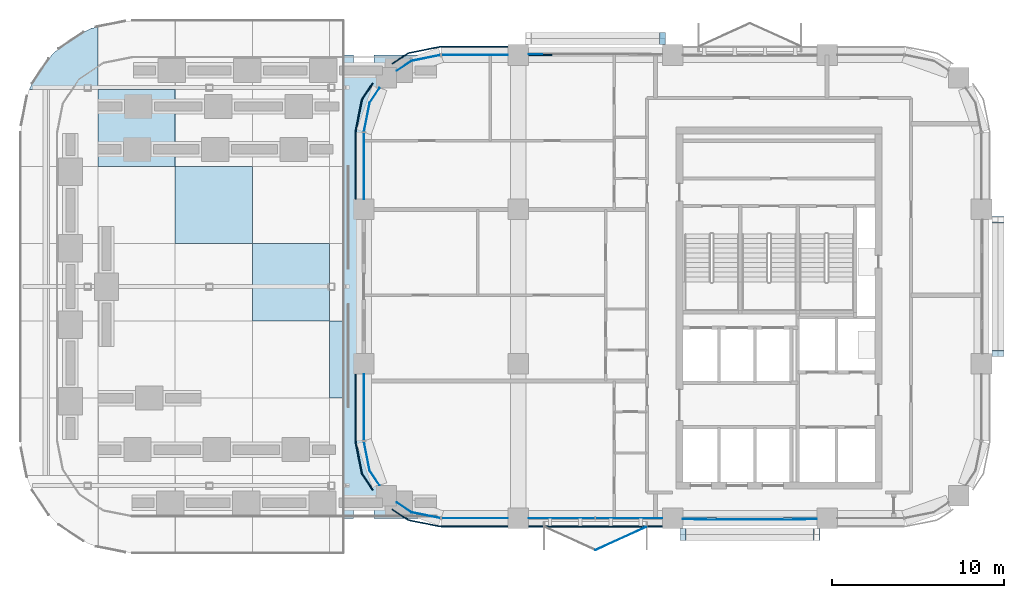
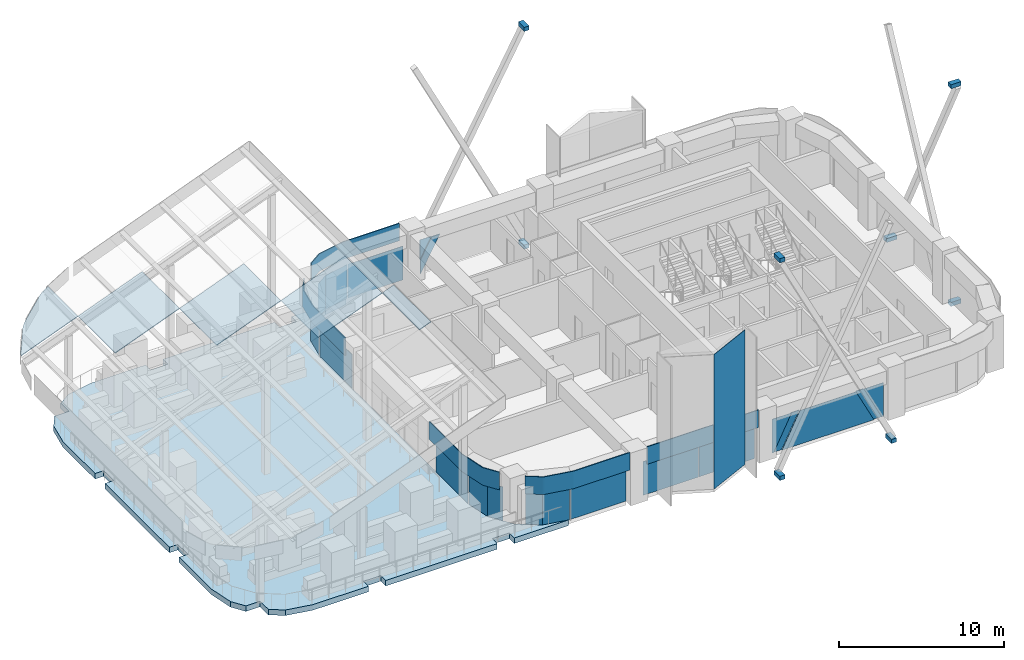
# One storey, part 6 of 13: 28 plates, 8 members, 1 slab, 7 elements without a shape of their own.
"""IFC4 building model written with IfcOpenShell, lengths in metres."""

from ifc_helpers import new_model, si_unit, direction, frame, origin, origin_2d, place, context, subcontext, project, spatial, polyline, rectangle, outline, extrude, material, layer, layer_set, type_object, element, aggregate, save


model = new_model("IFC4")

# Units and contexts
model_context = context("Model", 3, precision=1e-05, world=origin(), true_north=direction((0.0, 1.0)))
body_context = subcontext(model_context, "Body", "Model", "MODEL_VIEW")
ifc_project = project(units=[si_unit("LENGTHUNIT", "METRE"), si_unit("AREAUNIT", "SQUARE_METRE"), si_unit("VOLUMEUNIT", "CUBIC_METRE"), si_unit("PLANEANGLEUNIT", "RADIAN"), si_unit("MASSUNIT", "GRAM", prefix="KILO")], contexts=[model_context])

# Site, building, storey
site_placement = place(None, origin())
site = spatial("IfcSite", under=ifc_project, at=site_placement, CompositionType="ELEMENT")
building_placement = place(site_placement, origin())
building = spatial("IfcBuilding", under=site, at=building_placement, Name="Tessera Arch", CompositionType="ELEMENT")
storey_placement = place(building_placement, frame((0.0, 0.0, 234.5)))
storey = spatial("IfcBuildingStorey", under=building, at=storey_placement, Name="L56", CompositionType="ELEMENT", Elevation=234.5)

# Members
ifc_material_1 = material(Name="Steel A572 Gr50", Category="steel")
ifc_layer_1 = layer(ifc_material_1, 0.050048828125)
ifc_layer_set_1 = layer_set([ifc_layer_1], Name="Node block Steel A572 Gr50")
member_type = type_object("IfcMemberType", Name="Node block Steel A572 Gr50", PredefinedType="PLATE", material=ifc_layer_set_1)
for number, where, z_axis, x_axis, name in (
    (1, (54.95556640625, 44.39990234375, -1.20166015625), (0.0, 0.0, 1.0), (0.0, 1.0, 0.0), "Node block seat E54.27-0 1 L56"),
    (2, (54.95556640625, 36.60009765625, -1.20166015625), (0.0, 0.0, 1.0), (0.0, 1.0, 0.0), "Node block seat E54.27-0 2 L56"),
    (3, (54.95556640625, 36.60009765625, 14.90185546875), (0.0, 0.0, 1.0), (0.0, 1.0, 0.0), "Node block head E54.27-0 B L56"),
    (4, (35.39990234375, 54.95556640625, -1.20166015625), (0.0, 0.0, 1.0), (-1.0, 0.0, 0.0), "Node block seat N54.18-2 2 L56"),
    (5, (35.39990234375, 54.95556640625, 14.9072265625), (0.0, 0.0, 1.0), (-1.0, 0.0, 0.0), "Node block head N54.18-2 B L56"),
    (6, (44.39990234375, 26.04443359375, -1.20166015625), (0.0, 0.0, 1.0), (1.0, 0.0, 0.0), "Node block seat S27.18-2 1 L56"),
    (7, (36.60009765625, 26.04443359375, -1.20166015625), (0.0, 0.0, 1.0), (1.0, 0.0, 0.0), "Node block seat S27.18-2 2 L56"),
    (8, (36.60009765625, 26.04443359375, 14.90185546875), (0.0, 0.0, 1.0), (1.0, 0.0, 0.0), "Node block head S27.18-2 B L56"),
):
    element("IfcMember", number, at=place(storey_placement, frame(where, z_axis=z_axis, x_axis=x_axis)), inside=storey, type_object=member_type, Name=name, PredefinedType="PLATE", context=body_context, shape_type="SweptSolid", body=[
        extrude(rectangle(XDim=0.355712890625, YDim=0.711181640625, at=origin_2d()), origin(), (0.0, 0.0, 1.0), 0.300048828125),
    ])

# Curtain wall, plates
ifc_material_2 = material(Name="CW1 curtain wall")
curtain_wall_type_1 = type_object("IfcCurtainWallType", Name="CW1 curtain wall", PredefinedType="NOTDEFINED", material=ifc_material_2)
curtain_wall_1_placement = place(storey_placement, origin())
curtain_wall_1 = element("IfcCurtainWall", 9, at=curtain_wall_1_placement, inside=storey, type_object=curtain_wall_type_1, Name="CW1 curtain wall S27.18/1 L56", PredefinedType="NOTDEFINED")
ifc_material_3 = material(Name="Clear low-e glass", Category="glass")
ifc_material_4 = material(Name="Clear low-e glass", Category="glass")
ifc_layer_2 = layer(ifc_material_4, 0.028076171875)
ifc_layer_set_2 = layer_set([ifc_layer_2], Name="CW1 glass panel")
plate_type_1 = type_object("IfcPlateType", Name="CW1 glass panel", PredefinedType="CURTAIN_PANEL", material=ifc_layer_set_2)
plate_1_placement = place(storey_placement, frame((29.534912109375, 27.0, 0.0), z_axis=(0.0, 0.0, 1.0), x_axis=(1.0, 0.0, 0.0)))
plate_1 = element("IfcPlate", 10, at=plate_1_placement, type_object=plate_type_1, material=ifc_material_3, Name="CW1 glass panel S27.18/1 1.1.1", PredefinedType="CURTAIN_PANEL", context=body_context, shape_type="SweptSolid", body=[
    extrude(rectangle(XDim=3.8701171875, YDim=0.028076171875, at=origin_2d()), origin(), (0.0, 0.0, 1.0), 2.5),
])
plate_2_placement = place(storey_placement, frame((33.465087890625, 27.0, 0.0), z_axis=(0.0, 0.0, 1.0), x_axis=(1.0, 0.0, 0.0)))
plate_2 = element("IfcPlate", 11, at=plate_2_placement, type_object=plate_type_1, material=ifc_material_3, Name="CW1 glass panel S27.18/1 1.2.1", PredefinedType="CURTAIN_PANEL", context=body_context, shape_type="SweptSolid", body=[
    extrude(rectangle(XDim=3.8701171875, YDim=0.028076171875, at=origin_2d()), origin(), (0.0, 0.0, 1.0), 2.5),
])
ifc_material_5 = material(Name="Pale anodised aluminium panel", Category="aluminium")
ifc_layer_3 = layer(ifc_material_5, 0.06005859375)
ifc_layer_set_3 = layer_set([ifc_layer_3], Name="CW1 spandrel panel")
plate_type_2 = type_object("IfcPlateType", Name="CW1 spandrel panel", PredefinedType="CURTAIN_PANEL", material=ifc_layer_set_3)
plate_3_placement = place(storey_placement, frame((31.5, 26.52001953125, 2.60009765625), z_axis=(0.0, 0.0, 1.0), x_axis=(1.0, 0.0, 0.0)))
plate_3 = element("IfcPlate", 12, at=plate_3_placement, type_object=plate_type_2, Name="CW1 spandrel panel S27.18/1", PredefinedType="CURTAIN_PANEL", context=body_context, shape_type="SweptSolid", body=[
    extrude(rectangle(XDim=7.800048828125, YDim=0.06005859375, at=origin_2d()), origin(), (0.0, 0.0, 1.0), 1.300048828125),
])
aggregate(curtain_wall_1, [plate_1, plate_2, plate_3])

ifc_material_6 = material(Name="CW2 curtain wall")
curtain_wall_type_2 = type_object("IfcCurtainWallType", Name="CW2 curtain wall", PredefinedType="NOTDEFINED", material=ifc_material_6)
curtain_wall_2_placement = place(storey_placement, origin())
curtain_wall_2 = element("IfcCurtainWall", 13, at=curtain_wall_2_placement, inside=storey, type_object=curtain_wall_type_2, Name="CW2 curtain wall N54.18/3 L56", PredefinedType="NOTDEFINED")
ifc_material_7 = material(Name="Clear low-e glass", Category="glass")
ifc_layer_4 = layer(ifc_material_7, 0.028076171875)
ifc_layer_set_4 = layer_set([ifc_layer_4], Name="CW2 glass panel")
plate_type_3 = type_object("IfcPlateType", Name="CW2 glass panel", PredefinedType="CURTAIN_PANEL", material=ifc_layer_set_4)
plate_4_placement = place(storey_placement, frame((24.469970703125, 54.0, 0.0), z_axis=(0.0, 0.0, 1.0), x_axis=(-1.0, 0.0, 0.0)))
plate_4 = element("IfcPlate", 14, at=plate_4_placement, type_object=plate_type_3, material=ifc_material_3, Name="CW2 glass panel N54.18/3 1.1", PredefinedType="CURTAIN_PANEL", context=body_context, shape_type="SweptSolid", body=[
    extrude(rectangle(XDim=3.860107421875, YDim=0.028076171875, at=origin_2d()), origin(), (0.0, 0.0, 1.0), 2.5),
])
plate_5_placement = place(storey_placement, origin())
plate_5 = element("IfcPlate", 15, at=plate_5_placement, type_object=plate_type_3, material=ifc_material_3, Name="CW2 curved glass panel N54.18/3 2.1", PredefinedType="CURTAIN_PANEL", context=body_context, shape_type="SweptSolid", body=[
    extrude(outline(polyline([(20.783447265625, 53.644287109375), (22.46337890625, 53.978515625), (22.4580078125, 54.005859375), (20.7724609375, 53.670654296875), (19.91015625, 53.094482421875), (19.92578125, 53.0712890625), (20.783447265625, 53.644287109375)])), origin(), (0.0, 0.0, 1.0), 2.5),
])

curtain_wall_3_placement = place(storey_placement, origin())
curtain_wall_3 = element("IfcCurtainWall", 16, at=curtain_wall_3_placement, inside=storey, type_object=curtain_wall_type_2, Name="CW2 curtain wall W18.27/0 L56", PredefinedType="NOTDEFINED")
plate_6_placement = place(storey_placement, frame((18.0, 47.530029296875, 0.0), z_axis=(0.0, 0.0, 1.0), x_axis=(0.0, -1.0, 0.0)))
plate_6 = element("IfcPlate", 17, at=plate_6_placement, type_object=plate_type_3, material=ifc_material_3, Name="CW2 glass panel W18.27/0 1.1", PredefinedType="CURTAIN_PANEL", context=body_context, shape_type="SweptSolid", body=[
    extrude(rectangle(XDim=3.860107421875, YDim=0.028076171875, at=origin_2d()), origin(), (0.0, 0.0, 1.0), 2.5),
])
plate_7_placement = place(storey_placement, origin())
plate_7 = element("IfcPlate", 18, at=plate_7_placement, type_object=plate_type_3, material=ifc_material_3, Name="CW2 curved glass panel W18.27/0 2.1", PredefinedType="CURTAIN_PANEL", context=body_context, shape_type="SweptSolid", body=[
    extrude(outline(polyline([(18.355712890625, 51.216552734375), (18.9287109375, 52.07421875), (18.905517578125, 52.08984375), (18.329345703125, 51.2275390625), (17.994140625, 49.5419921875), (18.021484375, 49.53662109375), (18.355712890625, 51.216552734375)])), origin(), (0.0, 0.0, 1.0), 2.5),
])

curtain_wall_4_placement = place(storey_placement, origin())
curtain_wall_4 = element("IfcCurtainWall", 19, at=curtain_wall_4_placement, inside=storey, type_object=curtain_wall_type_2, Name="CW2 curtain wall W18.27/2 L56", PredefinedType="NOTDEFINED")
plate_8_placement = place(storey_placement, frame((18.0, 33.469970703125, 0.0), z_axis=(0.0, 0.0, 1.0), x_axis=(0.0, -1.0, 0.0)))
plate_8 = element("IfcPlate", 20, at=plate_8_placement, type_object=plate_type_3, material=ifc_material_3, Name="CW2 glass panel W18.27/2 1.1", PredefinedType="CURTAIN_PANEL", context=body_context, shape_type="SweptSolid", body=[
    extrude(rectangle(XDim=3.860107421875, YDim=0.028076171875, at=origin_2d()), origin(), (0.0, 0.0, 1.0), 2.5),
])
plate_9_placement = place(storey_placement, origin())
plate_9 = element("IfcPlate", 21, at=plate_9_placement, type_object=plate_type_3, material=ifc_material_3, Name="CW2 curved glass panel W18.27/2 2.1", PredefinedType="CURTAIN_PANEL", context=body_context, shape_type="SweptSolid", body=[
    extrude(outline(polyline([(18.355712890625, 29.783447265625), (18.021484375, 31.46337890625), (17.994140625, 31.4580078125), (18.329345703125, 29.7724609375), (18.905517578125, 28.91015625), (18.9287109375, 28.92578125), (18.355712890625, 29.783447265625)])), origin(), (0.0, 0.0, 1.0), 2.5),
])

curtain_wall_5_placement = place(storey_placement, origin())
curtain_wall_5 = element("IfcCurtainWall", 22, at=curtain_wall_5_placement, inside=storey, type_object=curtain_wall_type_2, Name="CW2 curtain wall S27.18/0 L56", PredefinedType="NOTDEFINED")
plate_10_placement = place(storey_placement, frame((24.469970703125, 27.0, 0.0), z_axis=(0.0, 0.0, 1.0), x_axis=(1.0, 0.0, 0.0)))
plate_10 = element("IfcPlate", 23, at=plate_10_placement, type_object=plate_type_3, material=ifc_material_3, Name="CW2 glass panel S27.18/0 1.1", PredefinedType="CURTAIN_PANEL", context=body_context, shape_type="SweptSolid", body=[
    extrude(rectangle(XDim=3.860107421875, YDim=0.028076171875, at=origin_2d()), origin(), (0.0, 0.0, 1.0), 2.5),
])
plate_11_placement = place(storey_placement, origin())
plate_11 = element("IfcPlate", 24, at=plate_11_placement, type_object=plate_type_3, material=ifc_material_3, Name="CW2 curved glass panel S27.18/0 2.1", PredefinedType="CURTAIN_PANEL", context=body_context, shape_type="SweptSolid", body=[
    extrude(outline(polyline([(20.783447265625, 27.355712890625), (19.92578125, 27.9287109375), (19.91015625, 27.905517578125), (20.7724609375, 27.329345703125), (22.4580078125, 26.994140625), (22.46337890625, 27.021484375), (20.783447265625, 27.355712890625)])), origin(), (0.0, 0.0, 1.0), 2.5),
])

# Plate
ifc_material_8 = material(Name="Pale anodised aluminium panel", Category="aluminium")
ifc_layer_5 = layer(ifc_material_8, 0.06005859375)
ifc_layer_set_5 = layer_set([ifc_layer_5], Name="CW2 spandrel panel")
plate_type_4 = type_object("IfcPlateType", Name="CW2 spandrel panel", PredefinedType="CURTAIN_PANEL", material=ifc_layer_set_5)
plate_12_placement = place(storey_placement, frame((0.0, 0.0, 2.60009765625)))
plate_12 = element("IfcPlate", 25, at=plate_12_placement, type_object=plate_type_4, Name="CW2 spandrel panel N54.18/3", PredefinedType="CURTAIN_PANEL", context=body_context, shape_type="SweptSolid", body=[
    extrude(outline(polyline([(22.500732421875, 54.449951171875), (26.39990234375, 54.449951171875), (26.39990234375, 54.510009765625), (22.499267578125, 54.510009765625), (22.449951171875, 54.507568359375), (22.401123046875, 54.500244140625), (20.677734375, 54.157470703125), (20.6298828125, 54.1455078125), (20.582763671875, 54.128662109375), (20.537353515625, 54.107421875), (20.4951171875, 54.08203125), (19.634765625, 53.5068359375), (19.66796875, 53.45703125), (20.52734375, 54.03125), (20.565673828125, 54.054443359375), (20.605712890625, 54.0732421875), (20.647216796875, 54.088134765625), (20.69091796875, 54.09912109375), (22.411376953125, 54.441162109375), (22.455810546875, 54.44775390625), (22.500732421875, 54.449951171875)])), origin(), (0.0, 0.0, 1.0), 1.2998046875),
])

aggregate(curtain_wall_2, [plate_4, plate_5, plate_12])

plate_13_placement = place(storey_placement, frame((0.0, 0.0, 2.60009765625)))
plate_13 = element("IfcPlate", 26, at=plate_13_placement, type_object=plate_type_4, Name="CW2 spandrel panel W18.27/0", PredefinedType="CURTAIN_PANEL", context=body_context, shape_type="SweptSolid", body=[
    extrude(outline(polyline([(17.96875, 51.47265625), (18.54296875, 52.33203125), (18.4931640625, 52.365234375), (17.91796875, 51.5048828125), (17.892578125, 51.462646484375), (17.871337890625, 51.417236328125), (17.8544921875, 51.3701171875), (17.842529296875, 51.322265625), (17.499755859375, 49.598876953125), (17.492431640625, 49.550048828125), (17.489990234375, 49.500732421875), (17.489990234375, 45.60009765625), (17.550048828125, 45.60009765625), (17.550048828125, 49.499267578125), (17.55224609375, 49.544189453125), (17.558837890625, 49.588623046875), (17.90087890625, 51.30908203125), (17.911865234375, 51.352783203125), (17.9267578125, 51.394287109375), (17.945556640625, 51.434326171875), (17.96875, 51.47265625)])), origin(), (0.0, 0.0, 1.0), 1.2998046875),
])

aggregate(curtain_wall_3, [plate_6, plate_7, plate_13])

plate_14_placement = place(storey_placement, frame((0.0, 0.0, 2.60009765625)))
plate_14 = element("IfcPlate", 27, at=plate_14_placement, type_object=plate_type_4, Name="CW2 spandrel panel W18.27/2", PredefinedType="CURTAIN_PANEL", context=body_context, shape_type="SweptSolid", body=[
    extrude(outline(polyline([(17.550048828125, 31.500732421875), (17.550048828125, 35.39990234375), (17.489990234375, 35.39990234375), (17.489990234375, 31.499267578125), (17.492431640625, 31.449951171875), (17.499755859375, 31.401123046875), (17.842529296875, 29.677734375), (17.8544921875, 29.6298828125), (17.871337890625, 29.582763671875), (17.892578125, 29.537353515625), (17.91796875, 29.4951171875), (18.4931640625, 28.634765625), (18.54296875, 28.66796875), (17.96875, 29.52734375), (17.945556640625, 29.565673828125), (17.9267578125, 29.605712890625), (17.911865234375, 29.647216796875), (17.90087890625, 29.69091796875), (17.558837890625, 31.411376953125), (17.55224609375, 31.455810546875), (17.550048828125, 31.500732421875)])), origin(), (0.0, 0.0, 1.0), 1.2998046875),
])

aggregate(curtain_wall_4, [plate_8, plate_9, plate_14])

plate_15_placement = place(storey_placement, frame((0.0, 0.0, 2.60009765625)))
plate_15 = element("IfcPlate", 28, at=plate_15_placement, type_object=plate_type_4, Name="CW2 spandrel panel S27.18/0", PredefinedType="CURTAIN_PANEL", context=body_context, shape_type="SweptSolid", body=[
    extrude(outline(polyline([(20.52734375, 26.96875), (19.66796875, 27.54296875), (19.634765625, 27.4931640625), (20.4951171875, 26.91796875), (20.537353515625, 26.892578125), (20.582763671875, 26.871337890625), (20.6298828125, 26.8544921875), (20.677734375, 26.842529296875), (22.401123046875, 26.499755859375), (22.449951171875, 26.492431640625), (22.499267578125, 26.489990234375), (26.39990234375, 26.489990234375), (26.39990234375, 26.550048828125), (22.500732421875, 26.550048828125), (22.455810546875, 26.55224609375), (22.411376953125, 26.558837890625), (20.69091796875, 26.90087890625), (20.647216796875, 26.911865234375), (20.605712890625, 26.9267578125), (20.565673828125, 26.945556640625), (20.52734375, 26.96875)])), origin(), (0.0, 0.0, 1.0), 1.2998046875),
])

aggregate(curtain_wall_5, [plate_10, plate_11, plate_15])

# Curtain wall, plate
ifc_material_9 = material(Name="CW3 curtain wall")
curtain_wall_type_3 = type_object("IfcCurtainWallType", Name="CW3 curtain wall", PredefinedType="NOTDEFINED", material=ifc_material_9)
curtain_wall_6_placement = place(storey_placement, origin())
curtain_wall_6 = element("IfcCurtainWall", 29, at=curtain_wall_6_placement, inside=storey, type_object=curtain_wall_type_3, Name="CW3 curtain wall N54.18/2 L56", PredefinedType="NOTDEFINED")
ifc_material_10 = material(Name="Pale anodised aluminium panel", Category="aluminium")
ifc_layer_6 = layer(ifc_material_10, 0.06005859375)
ifc_layer_set_6 = layer_set([ifc_layer_6], Name="CW3 diagonal panel")
plate_type_5 = type_object("IfcPlateType", Name="CW3 diagonal panel", PredefinedType="CURTAIN_PANEL", material=ifc_layer_set_6)
plate_16_placement = place(storey_placement, frame((27.60009765625, 54.030029296875, 0.0), z_axis=(0.0, 1.0, 0.0), x_axis=(0.0, 0.0, 1.0)))
plate_16 = element("IfcPlate", 30, at=plate_16_placement, type_object=plate_type_5, Name="CW3 diagonal panel N54.18/2 1", PredefinedType="CURTAIN_PANEL", context=body_context, shape_type="SweptSolid", body=[
    extrude(outline(polyline([(0.0, 0.0), (1.04931640625, 0.0), (2.5, 0.79248046875), (2.5, 1.36767578125), (0.0, 0.001953125), (0.0, 0.0)])), origin(), (0.0, 0.0, -1.0), 0.06005859375),
])

# Curtain wall, plates
curtain_wall_7_placement = place(storey_placement, origin())
curtain_wall_7 = element("IfcCurtainWall", 31, at=curtain_wall_7_placement, inside=storey, type_object=curtain_wall_type_3, Name="CW3 curtain wall S27.18/2 L56", PredefinedType="NOTDEFINED")
plate_17_placement = place(storey_placement, frame((43.0322265625, 26.969970703125, 2.5), z_axis=(0.0, -1.0, 0.0), x_axis=(-1.0, 0.0, 0.0)))
plate_17 = element("IfcPlate", 32, at=plate_17_placement, type_object=plate_type_5, Name="CW3 diagonal panel S27.18/2 1", PredefinedType="CURTAIN_PANEL", context=body_context, shape_type="SweptSolid", body=[
    extrude(outline(polyline([(0.0, 0.0), (0.564453125, 0.0), (-0.685546875, 2.5), (-1.25, 2.5), (0.0, 0.0)])), origin(), (0.0, 0.0, -1.0), 0.06005859375),
])
plate_18_placement = place(storey_placement, frame((38.5322265625, 26.969970703125, 2.5), z_axis=(0.0, -1.0, 0.0), x_axis=(-1.0, 0.0, 0.0)))
plate_18 = element("IfcPlate", 33, at=plate_18_placement, type_object=plate_type_5, Name="CW3 diagonal panel S27.18/2 2", PredefinedType="CURTAIN_PANEL", context=body_context, shape_type="SweptSolid", body=[
    extrude(outline(polyline([(0.0, 0.0), (0.564453125, 0.0), (1.814453125, 2.5), (1.25, 2.5), (0.0, 0.0)])), origin(), (0.0, 0.0, -1.0), 0.06005859375),
])

# Plate
ifc_material_11 = material(Name="Clear low-e glass", Category="glass")
ifc_layer_7 = layer(ifc_material_11, 0.028076171875)
ifc_layer_set_7 = layer_set([ifc_layer_7], Name="CW3 glass panel")
plate_type_6 = type_object("IfcPlateType", Name="CW3 glass panel", PredefinedType="CURTAIN_PANEL", material=ifc_layer_set_7)
plate_19_placement = place(storey_placement, frame((27.60009765625, 54.05810546875, 2.5), z_axis=(0.0, 1.0, 0.0), x_axis=(1.0, 0.0, 0.0)))
plate_19 = element("IfcPlate", 34, at=plate_19_placement, type_object=plate_type_6, material=ifc_material_3, Name="CW3 triangulated glass panel N54.18/2 3", PredefinedType="CURTAIN_PANEL", context=body_context, shape_type="SweptSolid", body=[
    extrude(outline(polyline([(0.0, 0.0), (0.79248046875, 0.0), (0.0, 1.45068359375), (0.0, 0.0)])), origin(), (0.0, 0.0, -1.0), 0.028076171875),
])

aggregate(curtain_wall_6, [plate_19, plate_16])

plate_20_placement = place(storey_placement, frame((36.60009765625, 26.94189453125, 0.0), z_axis=(0.0, -1.0, 0.0), x_axis=(1.0, 0.0, 0.0)))
plate_20 = element("IfcPlate", 35, at=plate_20_placement, type_object=plate_type_6, material=ifc_material_3, Name="CW3 triangulated glass panel S27.18/2 1", PredefinedType="CURTAIN_PANEL", context=body_context, shape_type="SweptSolid", body=[
    extrude(outline(polyline([(0.0, 0.0), (0.11767578125, 0.0), (1.36767578125, 2.5), (0.0, 2.5), (0.0, 0.0)])), origin(), (0.0, 0.0, -1.0), 0.028076171875),
])

plate_21_placement = place(storey_placement, frame((42.4677734375, 26.9140625, 2.5), z_axis=(0.0, -1.0, 0.0), x_axis=(-1.0, 0.0, 0.0)))
plate_21 = element("IfcPlate", 36, at=plate_21_placement, type_object=plate_type_6, material=ifc_material_3, Name="CW3 triangulated glass panel S27.18/2 2", PredefinedType="CURTAIN_PANEL", context=body_context, shape_type="SweptSolid", body=[
    extrude(outline(polyline([(0.0, 0.0), (3.935546875, 0.0), (5.185546875, 2.5), (-1.25, 2.5), (0.0, 0.0)])), origin(), (0.0, 0.0, -1.0), 0.028076171875),
])

plate_22_placement = place(storey_placement, frame((44.39990234375, 26.94189453125, 2.5), z_axis=(0.0, -1.0, 0.0), x_axis=(-1.0, 0.0, 0.0)))
plate_22 = element("IfcPlate", 37, at=plate_22_placement, type_object=plate_type_6, material=ifc_material_3, Name="CW3 triangulated glass panel S27.18/2 3", PredefinedType="CURTAIN_PANEL", context=body_context, shape_type="SweptSolid", body=[
    extrude(outline(polyline([(0.0, 0.0), (1.36767578125, 0.0), (0.11767578125, 2.5), (0.0, 2.5), (0.0, 0.0)])), origin(), (0.0, 0.0, -1.0), 0.028076171875),
])

aggregate(curtain_wall_7, [plate_20, plate_21, plate_22, plate_17, plate_18])

# Plates
ifc_material_12 = material(Name="Clear low-e laminated glass", Category="glass")
ifc_layer_8 = layer(ifc_material_12, 0.0439453125)
ifc_layer_set_8 = layer_set([ifc_layer_8], Name="Canopy panel clear glass")
plate_type_7 = type_object("IfcPlateType", Name="Canopy panel clear glass", PredefinedType="SHEET", material=ifc_layer_set_8)
plate_23_placement = place(storey_placement, frame((-1.497314453125, 52.0, 5.35693359375), z_axis=(-0.358371607918, 3.494118e-06, 0.933579022165), x_axis=(0.93357902217, 1.5e-11, 0.35837160792)))
element("IfcPlate", 38, at=plate_23_placement, inside=storey, type_object=plate_type_7, Name="CANOPY T2 panel 1-7", PredefinedType="SHEET", context=body_context, shape_type="SweptSolid", body=[
    extrude(outline(polyline([(0.0, 0.0), (4.281702852972377, 0.0), (4.281702853026195, 3.641357421852772), (4.059987573881362, 3.5976562495667803), (3.8578164430968136, 3.5402832029098468), (3.6626742062763054, 3.4648437502931664), (3.4770496498551875, 3.3723144529861195), (3.3873224387094036, 3.3193359376280434), (1.8271653516818278, 2.3459472656548943), (1.7403827761032373, 2.2888183590526454), (1.5779307773072655, 2.1643066407976934), (1.427853601409621, 2.0241699217795652), (1.294463431373377, 1.872558593838283), (1.2332547067870476, 1.7915039064788634), (0.19065506772465204, 0.33496093736784105), (0.1338460191696352, 0.25122070355208953), (0.03432026462717933, 0.07714843693101489), (0.0, 0.0)])), origin(), (0.0, 0.0, -1.0), 0.0439453125),
])
plate_24_placement = place(storey_placement, frame((7.0, 47.5, 8.618896484375), z_axis=(-0.358395235463, 0.0, 0.933569951957), x_axis=(0.0, 1.0, 0.0)))
element("IfcPlate", 39, at=plate_24_placement, inside=storey, type_object=plate_type_7, Name="CANOPY T2 panel 2-6", PredefinedType="SHEET", context=body_context, shape_type="SweptSolid", body=[
    extrude(outline(polyline([(0.0, 0.0), (4.5, 0.0), (4.5, 4.820206552883743), (0.0, 4.820206552883743), (0.0, 0.0)])), origin(), (0.0, 0.0, -1.0), 0.0439453125),
])
for number, where, z_axis, x_axis, name in (
    (40, (11.5, 43.0, 10.34619140625), (-0.358351090622, 0.0, 0.933586897857), (0.0, 1.0, 0.0), "CANOPY T2 panel 3-5"),
    (41, (16.0, 38.5, 12.073486328125), (-0.358351090622, 0.0, 0.933586897857), (0.0, 1.0, 0.0), "CANOPY T2 panel 4-4"),
):
    element("IfcPlate", number, at=place(storey_placement, frame(where, z_axis=z_axis, x_axis=x_axis)), inside=storey, type_object=plate_type_7, Name=name, PredefinedType="SHEET", context=body_context, shape_type="SweptSolid", body=[
        extrude(outline(polyline([(0.0, 0.0), (4.5, 0.0), (4.5, 4.820119059435686), (0.0, 4.820119059435686), (0.0, 0.0)])), origin(), (0.0, 0.0, -1.0), 0.0439453125),
    ])
plate_25_placement = place(storey_placement, frame((16.800048828125, 38.5, 12.380615234375), z_axis=(-0.358387206858, 0.0, 0.93357303408), x_axis=(-0.93357303408, 0.0, -0.358387206858)))
element("IfcPlate", 42, at=plate_25_placement, inside=storey, type_object=plate_type_7, Name="CANOPY T2 panel 5-3", PredefinedType="SHEET", context=body_context, shape_type="SweptSolid", body=[
    extrude(outline(polyline([(0.0, 0.0), (0.8569750827407452, 0.0), (0.8569750827407452, 4.5), (0.0, 4.5), (0.0, 0.0)])), origin(), (0.0, 0.0, -1.0), 0.0439453125),
])

# Slab
ifc_material_13 = material(Name="Concrete C40/50", Category="concrete")
ifc_layer_9 = layer(ifc_material_13, 0.409912109375)
ifc_layer_set_9 = layer_set([ifc_layer_9], Name="Terrace slab 410 Concrete C40/50")
slab_type = type_object("IfcSlabType", Name="Terrace slab 410 Concrete C40/50", PredefinedType="ROOF", material=ifc_layer_set_9)
slab_placement = place(storey_placement, frame((0.0, 0.0, -0.409912109375)))
element("IfcSlab", 43, at=slab_placement, inside=storey, type_object=slab_type, Name="Terrace slab L56 1.1", PredefinedType="ROOF", context=body_context, shape_type="SweptSolid", body=[
    extrude(outline(polyline([(4.5, 27.0), (4.4990234375, 27.000244140625), (2.77978515625, 27.342041015625), (2.77880859375, 27.34228515625), (2.778076171875, 27.3427734375), (2.777099609375, 27.34326171875), (2.7763671875, 27.34375), (1.91796875, 27.9169921875), (1.91796875, 28.91796875), (0.9169921875, 28.91796875), (0.34375, 29.7763671875), (0.34326171875, 29.777099609375), (0.3427734375, 29.778076171875), (0.34228515625, 29.77880859375), (0.342041015625, 29.77978515625), (0.000244140625, 31.4990234375), (0.0, 31.5), (0.0, 31.5009765625), (0.0, 35.39990234375), (0.60009765625, 35.39990234375), (0.60009765625, 36.60009765625), (0.0, 36.60009765625), (0.0, 44.39990234375), (0.60009765625, 44.39990234375), (0.60009765625, 45.60009765625), (0.0, 45.60009765625), (0.0, 49.4990234375), (0.0, 49.5), (0.000244140625, 49.5009765625), (0.342041015625, 51.22021484375), (0.34228515625, 51.22119140625), (0.3427734375, 51.221923828125), (0.34326171875, 51.222900390625), (0.34375, 51.2236328125), (0.9169921875, 52.08203125), (1.91796875, 52.08203125), (1.91796875, 53.0830078125), (2.7763671875, 53.65625), (2.777099609375, 53.65673828125), (2.778076171875, 53.6572265625), (2.77880859375, 53.65771484375), (2.77978515625, 53.657958984375), (4.4990234375, 53.999755859375), (4.5, 54.0), (4.5009765625, 54.0), (8.39990234375, 54.0), (8.39990234375, 53.39990234375), (9.60009765625, 53.39990234375), (9.60009765625, 54.0), (17.39990234375, 54.0), (17.39990234375, 53.39990234375), (18.60009765625, 53.39990234375), (18.60009765625, 54.0), (22.3984375, 54.0), (22.3994140625, 54.0), (22.400390625, 53.999755859375), (22.4013671875, 53.99951171875), (22.40234375, 53.999267578125), (22.403076171875, 53.998779296875), (22.404052734375, 53.998291015625), (22.40478515625, 53.997802734375), (22.405517578125, 53.9970703125), (22.40625, 53.996337890625), (22.40673828125, 53.99560546875), (22.4072265625, 53.99462890625), (22.40771484375, 53.993896484375), (22.407958984375, 53.992919921875), (22.408203125, 53.991943359375), (22.408447265625, 53.990966796875), (22.408447265625, 53.989990234375), (22.408447265625, 53.989013671875), (22.408203125, 53.988037109375), (22.407958984375, 53.987060546875), (22.40771484375, 53.986083984375), (22.4072265625, 53.9853515625), (22.40673828125, 53.984375), (22.40625, 53.983642578125), (22.405517578125, 53.98291015625), (22.40478515625, 53.982177734375), (22.404052734375, 53.981689453125), (22.403076171875, 53.981201171875), (22.40234375, 53.980712890625), (22.4013671875, 53.98046875), (22.400390625, 53.980224609375), (20.778076171875, 53.657470703125), (20.77783203125, 53.657470703125), (20.77783203125, 53.6572265625), (19.318115234375, 52.68212890625), (19.318115234375, 52.681884765625), (19.31787109375, 52.681884765625), (18.3427734375, 51.22216796875), (18.342529296875, 51.22216796875), (18.342529296875, 51.221923828125), (18.0, 49.500244140625), (18.0, 49.5), (18.0, 49.499755859375), (18.0, 31.500244140625), (18.0, 31.5), (18.0, 31.499755859375), (18.342529296875, 29.778076171875), (18.342529296875, 29.77783203125), (18.3427734375, 29.77783203125), (19.31787109375, 28.318115234375), (19.318115234375, 28.318115234375), (19.318115234375, 28.31787109375), (20.77783203125, 27.3427734375), (20.77783203125, 27.342529296875), (20.778076171875, 27.342529296875), (22.400390625, 27.019775390625), (22.4013671875, 27.01953125), (22.40234375, 27.019287109375), (22.403076171875, 27.018798828125), (22.404052734375, 27.018310546875), (22.40478515625, 27.017822265625), (22.405517578125, 27.01708984375), (22.40625, 27.016357421875), (22.40673828125, 27.015625), (22.4072265625, 27.0146484375), (22.40771484375, 27.013916015625), (22.407958984375, 27.012939453125), (22.408203125, 27.011962890625), (22.408447265625, 27.010986328125), (22.408447265625, 27.010009765625), (22.408447265625, 27.009033203125), (22.408203125, 27.008056640625), (22.407958984375, 27.007080078125), (22.40771484375, 27.006103515625), (22.4072265625, 27.00537109375), (22.40673828125, 27.00439453125), (22.40625, 27.003662109375), (22.405517578125, 27.0029296875), (22.40478515625, 27.002197265625), (22.404052734375, 27.001708984375), (22.403076171875, 27.001220703125), (22.40234375, 27.000732421875), (22.4013671875, 27.00048828125), (22.400390625, 27.000244140625), (22.3994140625, 27.0), (22.3984375, 27.0), (18.60009765625, 27.0), (18.60009765625, 27.60009765625), (17.39990234375, 27.60009765625), (17.39990234375, 27.0), (9.60009765625, 27.0), (9.60009765625, 27.60009765625), (8.39990234375, 27.60009765625), (8.39990234375, 27.0), (4.5009765625, 27.0), (4.5, 27.0)])), origin(), (0.0, 0.0, 1.0), 0.409912109375),
])

# Plate
ifc_material_14 = material(Name="Clear low-e glass", Category="glass")
ifc_layer_10 = layer(ifc_material_14, 0.028076171875)
ifc_layer_set_10 = layer_set([ifc_layer_10], Name="Window box glass facet")
plate_type_8 = type_object("IfcPlateType", Name="Window box glass facet", PredefinedType="SHEET", material=ifc_layer_set_10)
plate_26_placement = place(storey_placement, frame((32.97509765625, 25.820068359375, 0.219970703125), z_axis=(0.0, 0.0, 1.0), x_axis=(-0.910472144558, -0.413570397858, 0.0)))
element("IfcPlate", 44, at=plate_26_placement, inside=storey, type_object=plate_type_8, Name="Window box S27.18/1.0 2x3 glass", PredefinedType="SHEET", context=body_context, shape_type="SweptSolid", body=[
    extrude(rectangle(XDim=3.239990234375, YDim=0.028076171875, at=origin_2d()), origin(), (0.0, 0.0, 1.0), 9.9599609375),
])

save(model, "model.ifc")
